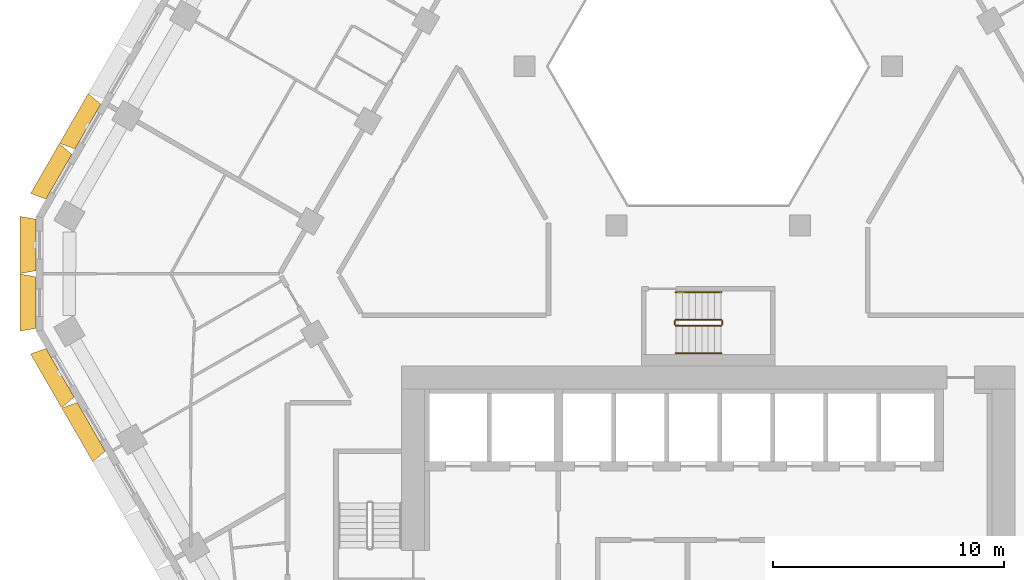
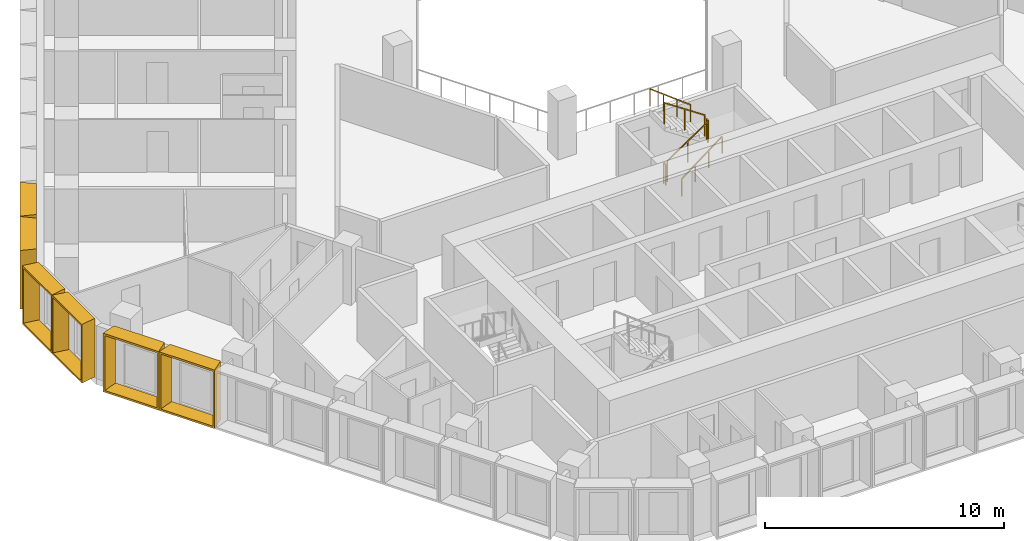
# One storey, part 16 of 18: 6 railings, 6 shading devices.
"""IFC4 building model written with IfcOpenShell, lengths in metres."""

from ifc_helpers import new_model, entity, si_unit, direction, frame, origin, origin_2d, place, context, subcontext, project, spatial, rectangle, extrude, source, transform, mapped, material, type_object, type_shapes, element, save


model = new_model("IFC4")

# Units and contexts
model_context = context("Model", 3, precision=1e-05, world=origin(), true_north=direction((0.0, 1.0)))
body_context = subcontext(model_context, "Body", "Model", "MODEL_VIEW")
ifc_project = project(units=[si_unit("LENGTHUNIT", "METRE"), si_unit("AREAUNIT", "SQUARE_METRE"), si_unit("VOLUMEUNIT", "CUBIC_METRE"), si_unit("PLANEANGLEUNIT", "RADIAN"), si_unit("MASSUNIT", "GRAM", prefix="KILO")], contexts=[model_context])

# Site, building, storey
site_placement = place(None, origin())
site = spatial("IfcSite", under=ifc_project, at=site_placement, CompositionType="ELEMENT")
building_placement = place(site_placement, origin())
building = spatial("IfcBuilding", under=site, at=building_placement, Name="Beryl Residences", CompositionType="ELEMENT")
storey_placement = place(building_placement, frame((0.0, 0.0, 75.0)))
storey = spatial("IfcBuildingStorey", under=building, at=storey_placement, Name="L22", CompositionType="ELEMENT", Elevation=75.0)

# Shading devices
ifc_material_1 = material(Name="Aluminium pale anodised", Category="aluminium")
shading_device_type_1 = type_object("IfcShadingDeviceType", Name="FR250-70A OUTER SKIN frame 700 mm deep, splay 10/10 deg, 2500 x 3000 mm cell", PredefinedType="USERDEFINED", material=ifc_material_1)
cartesian_point_1 = entity("IfcCartesianPoint", [-1.116455078125, 0.0])
cartesian_point_2 = entity("IfcCartesianPoint", [-1.03515625, 0.10009765625])
cartesian_point_3 = entity("IfcCartesianPoint", [-1.239990234375, 0.0])
cartesian_point_4 = entity("IfcCartesianPoint", [-1.15869140625, 0.10009765625])
shared_shape_1 = source(origin(), body_context, "Body", "SweptSolid", [
    entity("IfcExtrudedAreaSolidTapered", entity("IfcArbitraryProfileDefWithVoids", "AREA", None, entity("IfcPolyline", [cartesian_point_1, entity("IfcCartesianPoint", [1.116455078125, 0.0]), entity("IfcCartesianPoint", [1.116455078125, 3.0]), entity("IfcCartesianPoint", [-1.116455078125, 3.0]), cartesian_point_1]), [entity("IfcPolyline", [cartesian_point_2, entity("IfcCartesianPoint", [1.03515625, 0.10009765625]), entity("IfcCartesianPoint", [1.03515625, 2.89990234375]), entity("IfcCartesianPoint", [-1.03515625, 2.89990234375]), cartesian_point_2])]), entity("IfcAxis2Placement3D", entity("IfcCartesianPoint", [0.0, 0.0, 0.0]), entity("IfcDirection", [0.0, 1.0, 0.0]), entity("IfcDirection", [-1.0, 0.0, 0.0])), entity("IfcDirection", [0.0, 0.0, 1.0]), 0.699951171875, entity("IfcArbitraryProfileDefWithVoids", "AREA", None, entity("IfcPolyline", [cartesian_point_3, entity("IfcCartesianPoint", [1.239990234375, 0.0]), entity("IfcCartesianPoint", [1.239990234375, 3.0]), entity("IfcCartesianPoint", [-1.239990234375, 3.0]), cartesian_point_3]), [entity("IfcPolyline", [cartesian_point_4, entity("IfcCartesianPoint", [1.15869140625, 0.10009765625]), entity("IfcCartesianPoint", [1.15869140625, 2.89990234375]), entity("IfcCartesianPoint", [-1.15869140625, 2.89990234375]), cartesian_point_4])])),
])
type_shapes(shading_device_type_1, [shared_shape_1])
for number, where, z_axis, x_axis, name in (
    (1, (-29.156982421875, 0.25, 0.0), (0.0, 0.0, 1.0), (0.0, 1.0, 0.0), "FR250-70A frame L22 NW-SW 1"),
    (2, (-29.156982421875, -2.25, 0.0), (0.0, 0.0, 1.0), (0.0, 1.0, 0.0), "FR250-70A frame L22 NW-SW 2"),
):
    element("IfcShadingDevice", number, at=place(storey_placement, frame(where, z_axis=z_axis, x_axis=x_axis)), inside=storey, type_object=shading_device_type_1, Name=name, ObjectType="OUTER SKIN", PredefinedType="USERDEFINED", context=body_context, shape_type="MappedRepresentation", body=[
        mapped(shared_shape_1, transform((0.0, 0.0, 0.0))),
    ])
ifc_material_2 = material(Name="Aluminium pale anodised", Category="aluminium")
shading_device_type_2 = type_object("IfcShadingDeviceType", Name="FR251-70A OUTER SKIN frame 700 mm deep, splay 10/10 deg, 2510 x 3000 mm cell", PredefinedType="USERDEFINED", material=ifc_material_2)
cartesian_point_5 = entity("IfcCartesianPoint", [-1.12158203125, 0.0])
cartesian_point_6 = entity("IfcCartesianPoint", [-1.040283203125, 0.10009765625])
cartesian_point_7 = entity("IfcCartesianPoint", [-1.244873046875, 0.0])
cartesian_point_8 = entity("IfcCartesianPoint", [-1.16357421875, 0.10009765625])
shared_shape_2 = source(origin(), body_context, "Body", "SweptSolid", [
    entity("IfcExtrudedAreaSolidTapered", entity("IfcArbitraryProfileDefWithVoids", "AREA", None, entity("IfcPolyline", [cartesian_point_5, entity("IfcCartesianPoint", [1.12158203125, 0.0]), entity("IfcCartesianPoint", [1.12158203125, 3.0]), entity("IfcCartesianPoint", [-1.12158203125, 3.0]), cartesian_point_5]), [entity("IfcPolyline", [cartesian_point_6, entity("IfcCartesianPoint", [1.040283203125, 0.10009765625]), entity("IfcCartesianPoint", [1.040283203125, 2.89990234375]), entity("IfcCartesianPoint", [-1.040283203125, 2.89990234375]), cartesian_point_6])]), entity("IfcAxis2Placement3D", entity("IfcCartesianPoint", [0.0, 0.0, 0.0]), entity("IfcDirection", [0.0, 1.0, 0.0]), entity("IfcDirection", [-1.0, 0.0, 0.0])), entity("IfcDirection", [0.0, 0.0, 1.0]), 0.699951171875, entity("IfcArbitraryProfileDefWithVoids", "AREA", None, entity("IfcPolyline", [cartesian_point_7, entity("IfcCartesianPoint", [1.244873046875, 0.0]), entity("IfcCartesianPoint", [1.244873046875, 3.0]), entity("IfcCartesianPoint", [-1.244873046875, 3.0]), cartesian_point_7]), [entity("IfcPolyline", [cartesian_point_8, entity("IfcCartesianPoint", [1.16357421875, 0.10009765625]), entity("IfcCartesianPoint", [1.16357421875, 2.89990234375]), entity("IfcCartesianPoint", [-1.16357421875, 2.89990234375]), cartesian_point_8])])),
])
type_shapes(shading_device_type_2, [shared_shape_2])
for number, where, z_axis, x_axis, name in (
    (3, (-26.912109375, 5.387939453125, 0.0), (0.0, 0.0, 1.0), (0.5, 0.866025403784, 0.0), "FR251-70A frame L22 NW 9"),
    (4, (-28.16796875, 3.212890625, 0.0), (0.0, 0.0, 1.0), (0.5, 0.866025403784, 0.0), "FR251-70A frame L22 NW 10"),
):
    element("IfcShadingDevice", number, at=place(storey_placement, frame(where, z_axis=z_axis, x_axis=x_axis)), inside=storey, type_object=shading_device_type_2, Name=name, ObjectType="OUTER SKIN", PredefinedType="USERDEFINED", context=body_context, shape_type="MappedRepresentation", body=[
        mapped(shared_shape_2, transform((0.0, 0.0, 0.0))),
    ])
ifc_material_3 = material(Name="Aluminium pale anodised", Category="aluminium")
shading_device_type_3 = type_object("IfcShadingDeviceType", Name="FR271-70A OUTER SKIN frame 700 mm deep, splay 10/10 deg, 2710 x 3000 mm cell", PredefinedType="USERDEFINED", material=ifc_material_3)
cartesian_point_9 = entity("IfcCartesianPoint", [-1.221435546875, 0.0])
cartesian_point_10 = entity("IfcCartesianPoint", [-1.140380859375, 0.10009765625])
cartesian_point_11 = entity("IfcCartesianPoint", [-1.344970703125, 0.0])
cartesian_point_12 = entity("IfcCartesianPoint", [-1.263671875, 0.10009765625])
shared_shape_3 = source(origin(), body_context, "Body", "SweptSolid", [
    entity("IfcExtrudedAreaSolidTapered", entity("IfcArbitraryProfileDefWithVoids", "AREA", None, entity("IfcPolyline", [cartesian_point_9, entity("IfcCartesianPoint", [1.221435546875, 0.0]), entity("IfcCartesianPoint", [1.221435546875, 3.0]), entity("IfcCartesianPoint", [-1.221435546875, 3.0]), cartesian_point_9]), [entity("IfcPolyline", [cartesian_point_10, entity("IfcCartesianPoint", [1.140380859375, 0.10009765625]), entity("IfcCartesianPoint", [1.140380859375, 2.89990234375]), entity("IfcCartesianPoint", [-1.140380859375, 2.89990234375]), cartesian_point_10])]), entity("IfcAxis2Placement3D", entity("IfcCartesianPoint", [0.0, 0.0, 0.0]), entity("IfcDirection", [0.0, 1.0, 0.0]), entity("IfcDirection", [-1.0, 0.0, 0.0])), entity("IfcDirection", [0.0, 0.0, 1.0]), 0.699951171875, entity("IfcArbitraryProfileDefWithVoids", "AREA", None, entity("IfcPolyline", [cartesian_point_11, entity("IfcCartesianPoint", [1.344970703125, 0.0]), entity("IfcCartesianPoint", [1.344970703125, 3.0]), entity("IfcCartesianPoint", [-1.344970703125, 3.0]), cartesian_point_11]), [entity("IfcPolyline", [cartesian_point_12, entity("IfcCartesianPoint", [1.263671875, 0.10009765625]), entity("IfcCartesianPoint", [1.263671875, 2.89990234375]), entity("IfcCartesianPoint", [-1.263671875, 2.89990234375]), cartesian_point_12])])),
])
type_shapes(shading_device_type_3, [shared_shape_3])
for number, where, z_axis, x_axis, name in (
    (5, (-28.118896484375, -5.2958984375, 0.0), (0.0, 0.0, 1.0), (-0.5, 0.866025403784, 0.0), "FR271-70A frame L22 SW 1"),
    (6, (-26.76611328125, -7.639892578125, 0.0), (0.0, 0.0, 1.0), (-0.5, 0.866025403784, 0.0), "FR271-70A frame L22 SW 2"),
):
    element("IfcShadingDevice", number, at=place(storey_placement, frame(where, z_axis=z_axis, x_axis=x_axis)), inside=storey, type_object=shading_device_type_3, Name=name, ObjectType="OUTER SKIN", PredefinedType="USERDEFINED", context=body_context, shape_type="MappedRepresentation", body=[
        mapped(shared_shape_3, transform((0.0, 0.0, 0.0))),
    ])

# Railings
ifc_material_4 = material(Name="Stainless steel balustrade with glass infill", Category="steel")
railing_type_1 = type_object("IfcRailingType", Name="SG1 stair guard 1100 mm", PredefinedType="GUARDRAIL", material=ifc_material_4)
railing_1_placement = place(storey_placement, frame((-1.39990234375, -3.25, 0.1875)))
element("IfcRailing", 7, at=railing_1_placement, inside=storey, type_object=railing_type_1, Name="L22 ST-4 stair guard 1", PredefinedType="GUARDRAIL", context=body_context, shape_type="SweptSolid", body=[
    extrude(rectangle(XDim=0.048095703125, YDim=0.048095703125, at=origin_2d()), frame((0.0, 0.0, 1.076171875), z_axis=(0.830902050051, 0.0, 0.556418712142), x_axis=(0.0, 1.0, 0.0)), (0.0, 0.0, 1.0), 2.35888671875),
    extrude(rectangle(XDim=0.0419921875, YDim=0.0419921875, at=origin_2d()), origin(), (0.0, 0.0, 1.0), 1.052001953125),
    extrude(rectangle(XDim=0.0419921875, YDim=0.0419921875, at=origin_2d()), frame((0.97998046875, 0.0, 0.65625)), (0.0, 0.0, 1.0), 1.052001953125),
    extrude(rectangle(XDim=0.0419921875, YDim=0.0419921875, at=origin_2d()), frame((1.9599609375, 0.0, 1.3125)), (0.0, 0.0, 1.0), 1.052001953125),
])
railing_2_placement = place(storey_placement, frame((0.610107421875, -3.199951171875, 1.5)))
element("IfcRailing", 8, at=railing_2_placement, inside=storey, type_object=railing_type_1, Name="L22 ST-4 stair guard 2", PredefinedType="GUARDRAIL", context=body_context, shape_type="SweptSolid", body=[
    extrude(rectangle(XDim=0.048095703125, YDim=0.048095703125, at=origin_2d()), frame((0.0, 0.0, 1.076171875), z_axis=(0.0, 1.0, 0.0), x_axis=(-1.0, 0.0, 0.0)), (0.0, 0.0, 1.0), 0.14990234375),
    extrude(rectangle(XDim=0.0419921875, YDim=0.0419921875, at=origin_2d()), origin(), (0.0, 0.0, 1.0), 1.052001953125),
    extrude(rectangle(XDim=0.0419921875, YDim=0.0419921875, at=origin_2d()), frame((0.0, 0.14990234375, 0.0)), (0.0, 0.0, 1.0), 1.052001953125),
])
railing_3_placement = place(storey_placement, frame((0.56005859375, -3.0, 1.6875)))
element("IfcRailing", 9, at=railing_3_placement, inside=storey, type_object=railing_type_1, Name="L22 ST-4 stair guard 3", PredefinedType="GUARDRAIL", context=body_context, shape_type="SweptSolid", body=[
    extrude(rectangle(XDim=0.048095703125, YDim=0.048095703125, at=origin_2d()), frame((0.0, 0.0, 1.076171875), z_axis=(-0.830902050051, 0.0, 0.556418712142), x_axis=(0.0, -1.0, 0.0)), (0.0, 0.0, 1.0), 2.35888671875),
    extrude(rectangle(XDim=0.0419921875, YDim=0.0419921875, at=origin_2d()), origin(), (0.0, 0.0, 1.0), 1.052001953125),
    extrude(rectangle(XDim=0.0419921875, YDim=0.0419921875, at=origin_2d()), frame((-0.97998046875, 0.0, 0.65625)), (0.0, 0.0, 1.0), 1.052001953125),
    extrude(rectangle(XDim=0.0419921875, YDim=0.0419921875, at=origin_2d()), frame((-1.9599609375, 0.0, 1.3125)), (0.0, 0.0, 1.0), 1.052001953125),
])
railing_4_placement = place(storey_placement, frame((-1.449951171875, -3.199951171875, 0.0)))
element("IfcRailing", 10, at=railing_4_placement, inside=storey, type_object=railing_type_1, Name="L22 ST-4 stair guard 4", PredefinedType="GUARDRAIL", context=body_context, shape_type="SweptSolid", body=[
    extrude(rectangle(XDim=0.048095703125, YDim=0.048095703125, at=origin_2d()), frame((0.0, 0.0, 1.076171875), z_axis=(0.0, 1.0, 0.0), x_axis=(-1.0, 0.0, 0.0)), (0.0, 0.0, 1.0), 0.14990234375),
    extrude(rectangle(XDim=0.0419921875, YDim=0.0419921875, at=origin_2d()), origin(), (0.0, 0.0, 1.0), 1.052001953125),
    extrude(rectangle(XDim=0.0419921875, YDim=0.0419921875, at=origin_2d()), frame((0.0, 0.14990234375, 0.0)), (0.0, 0.0, 1.0), 1.052001953125),
])
ifc_material_5 = material(Name="Stainless steel handrail", Category="steel")
railing_type_2 = type_object("IfcRailingType", Name="SRL1 stair handrail 900 mm", PredefinedType="HANDRAIL", material=ifc_material_5)
railing_5_placement = place(storey_placement, frame((-1.39990234375, -4.449951171875, 0.1875)))
element("IfcRailing", 11, at=railing_5_placement, inside=storey, type_object=railing_type_2, Name="L22 ST-4 stair handrail 1", PredefinedType="HANDRAIL", context=body_context, shape_type="SweptSolid", body=[
    extrude(rectangle(XDim=0.048095703125, YDim=0.048095703125, at=origin_2d()), frame((0.0, 0.0, 0.8759765625), z_axis=(0.794121922505, 0.0, 0.607758481798), x_axis=(0.0, 1.0, 0.0)), (0.0, 0.0, 1.0), 2.468017578125),
    extrude(rectangle(XDim=0.0419921875, YDim=0.0419921875, at=origin_2d()), origin(), (0.0, 0.0, 1.0), 0.851806640625),
    extrude(rectangle(XDim=0.0419921875, YDim=0.0419921875, at=origin_2d()), frame((0.6533203125, 0.0, 0.5)), (0.0, 0.0, 1.0), 0.851806640625),
    extrude(rectangle(XDim=0.0419921875, YDim=0.0419921875, at=origin_2d()), frame((1.306640625, 0.0, 1.0)), (0.0, 0.0, 1.0), 0.851806640625),
    extrude(rectangle(XDim=0.0419921875, YDim=0.0419921875, at=origin_2d()), frame((1.9599609375, 0.0, 1.5)), (0.0, 0.0, 1.0), 0.851806640625),
])
railing_6_placement = place(storey_placement, frame((0.56005859375, -1.800048828125, 1.6875)))
element("IfcRailing", 12, at=railing_6_placement, inside=storey, type_object=railing_type_2, Name="L22 ST-4 stair handrail 2", PredefinedType="HANDRAIL", context=body_context, shape_type="SweptSolid", body=[
    extrude(rectangle(XDim=0.048095703125, YDim=0.048095703125, at=origin_2d()), frame((0.0, 0.0, 0.8759765625), z_axis=(-0.794121922505, 0.0, 0.607758481798), x_axis=(0.0, -1.0, 0.0)), (0.0, 0.0, 1.0), 2.468017578125),
    extrude(rectangle(XDim=0.0419921875, YDim=0.0419921875, at=origin_2d()), origin(), (0.0, 0.0, 1.0), 0.851806640625),
    extrude(rectangle(XDim=0.0419921875, YDim=0.0419921875, at=origin_2d()), frame((-0.6533203125, 0.0, 0.5)), (0.0, 0.0, 1.0), 0.851806640625),
    extrude(rectangle(XDim=0.0419921875, YDim=0.0419921875, at=origin_2d()), frame((-1.306640625, 0.0, 1.0)), (0.0, 0.0, 1.0), 0.851806640625),
    extrude(rectangle(XDim=0.0419921875, YDim=0.0419921875, at=origin_2d()), frame((-1.9599609375, 0.0, 1.5)), (0.0, 0.0, 1.0), 0.851806640625),
])

save(model, "model.ifc")
